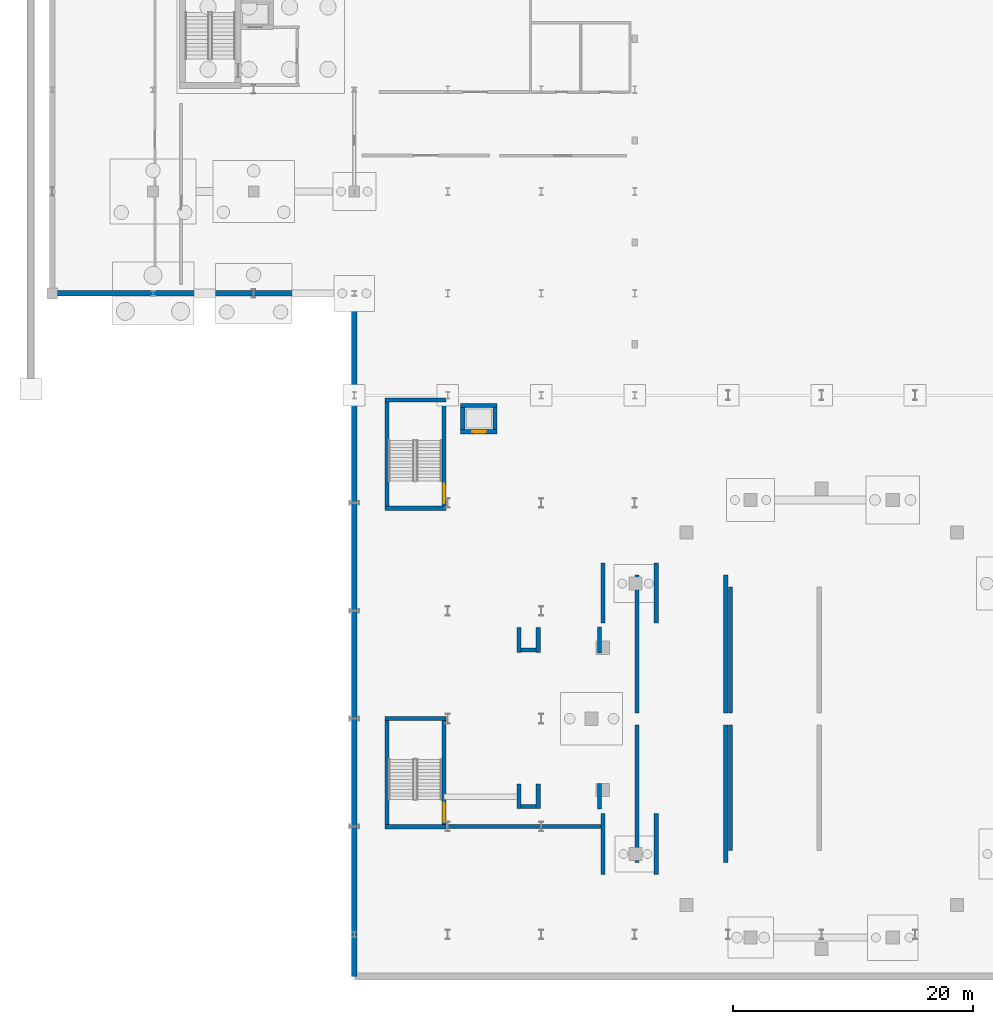
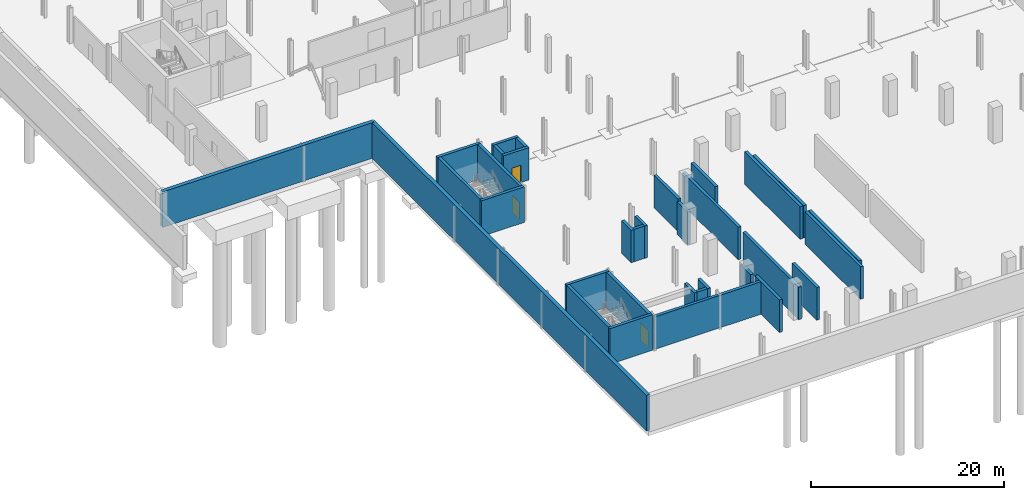
# One storey, part 23 of 45: 33 walls, 3 doors, 3 openings.
"""IFC4 building model written with IfcOpenShell, lengths in metres."""

from ifc_helpers import new_model, si_unit, direction, frame, frame_2d, origin, place, context, subcontext, project, spatial, rectangle, extrude, material, layer, layer_set, type_object, element, fill, save


model = new_model("IFC4")

# Units and contexts
model_context = context("Model", 3, precision=1e-05, world=origin(), true_north=direction((0.0, 1.0)))
body_context = subcontext(model_context, "Body", "Model", "MODEL_VIEW")
ifc_project = project(units=[si_unit("LENGTHUNIT", "METRE"), si_unit("AREAUNIT", "SQUARE_METRE"), si_unit("VOLUMEUNIT", "CUBIC_METRE"), si_unit("PLANEANGLEUNIT", "RADIAN"), si_unit("MASSUNIT", "GRAM", prefix="KILO")], contexts=[model_context])

# Site, building, storey
site_placement = place(None, origin())
site = spatial("IfcSite", under=ifc_project, at=site_placement, CompositionType="ELEMENT")
building_placement = place(site_placement, origin())
building = spatial("IfcBuilding", under=site, at=building_placement, Name="Sefraquen Railside Congress Hotel", CompositionType="ELEMENT")
storey_placement = place(building_placement, frame((0.0, 0.0, -4.5)))
storey = spatial("IfcBuildingStorey", under=building, at=storey_placement, Name="B01", CompositionType="ELEMENT", Elevation=-4.5)

# Walls
ifc_material_1 = material(Name="Concrete C50/60", Category="concrete")
ifc_layer_1 = layer(ifc_material_1, 0.35009765625)
ifc_layer_set_1 = layer_set([ifc_layer_1], Name="Concrete C50/60")
wall_type_1 = type_object("IfcWallType", Name="TW-CW-350", PredefinedType="SHEAR", material=ifc_layer_set_1)
for number, where, z_axis, x_axis, name in (
    (1, (27.75, 27.014892578125, 0.0), (0.0, 0.0, 1.0), (1.0, 0.0, 0.0), "Core shear wall ST-C01 N B01"),
    (2, (27.75, 17.985107421875, 0.0), (0.0, 0.0, 1.0), (1.0, 0.0, 0.0), "Core shear wall ST-C01 S B01"),
):
    element("IfcWall", number, at=place(storey_placement, frame(where, z_axis=z_axis, x_axis=x_axis)), inside=storey, type_object=wall_type_1, Name=name, PredefinedType="SHEAR", context=body_context, shape_type="SweptSolid", body=[
        extrude(rectangle(XDim=5.10009765625, YDim=0.35009765625, at=frame_2d((2.550048828125, 0.0))), origin(), (0.0, 0.0, 1.0), 4.5),
    ])
wall_1_placement = place(storey_placement, frame((27.925048828125, 18.159912109375, 0.0), z_axis=(0.0, 0.0, 1.0), x_axis=(0.0, 1.0, 0.0)))
element("IfcWall", 3, at=wall_1_placement, inside=storey, type_object=wall_type_1, Name="Core shear wall ST-C01 W B01", PredefinedType="SHEAR", context=body_context, shape_type="SweptSolid", body=[
    extrude(rectangle(XDim=8.68017578125, YDim=0.35009765625, at=frame_2d((4.340087890625, 0.0))), origin(), (0.0, 0.0, 1.0), 4.5),
])

# Wall, opening, door
wall_2_placement = place(storey_placement, frame((32.675048828125, 18.159912109375, 0.0), z_axis=(0.0, 0.0, 1.0), x_axis=(0.0, 1.0, 0.0)))
wall_2 = element("IfcWall", 4, at=wall_2_placement, inside=storey, type_object=wall_type_1, Name="Core shear wall ST-C01 E B01", PredefinedType="SHEAR", context=body_context, shape_type="SweptSolid", body=[
    extrude(rectangle(XDim=8.68017578125, YDim=0.35009765625, at=frame_2d((4.340087890625, 0.0))), origin(), (0.0, 0.0, 1.0), 4.5),
])
opening_1_placement = place(wall_2_placement, frame((0.25, 0.0, 0.0)))
opening_1 = element("IfcOpeningElement", 5, at=opening_1_placement, cuts=wall_2, Name="Opening FD-02", PredefinedType="OPENING", context=body_context, shape_type="SweptSolid", body=[
    extrude(rectangle(XDim=1.60009765625, YDim=2.199951171875, at=frame_2d((0.800048828125, 1.10009765625))), frame((0.0, 0.18505859375, 0.0), z_axis=(0.0, -1.0, 0.0), x_axis=(1.0, 0.0, 0.0)), (0.0, 0.0, 1.0), 0.3701171875),
])
ifc_material_2 = material(Name="Fire-rated steel", Category="steel")
door_type_1 = type_object("IfcDoorType", Name="TD-FD-02", OperationType="NOTDEFINED", PredefinedType="DOOR", material=ifc_material_2)
door_1_placement = place(opening_1_placement, origin())
door_1 = element("IfcDoor", 6, at=door_1_placement, inside=storey, type_object=door_type_1, Name="Pressurized stair ST-C01 fire door B01", OperationType="SINGLE_SWING_LEFT", OverallHeight=2.199951171875, OverallWidth=1.60009765625, PredefinedType="DOOR", context=body_context, shape_type="SweptSolid", body=[
    extrude(rectangle(XDim=1.60009765625, YDim=2.199951171875, at=frame_2d((0.800048828125, 1.10009765625))), frame((0.0, 0.02490234375, 0.0), z_axis=(0.0, -1.0, 0.0), x_axis=(1.0, 0.0, 0.0)), (0.0, 0.0, 1.0), 0.050048828125),
])
fill(opening_1, door_1)

# Walls
for number, where, z_axis, x_axis, name in (
    (7, (27.75, 53.60498046875, 0.0), (0.0, 0.0, 1.0), (1.0, 0.0, 0.0), "Core shear wall ST-C02 N B01"),
    (8, (27.75, 44.574951171875, 0.0), (0.0, 0.0, 1.0), (1.0, 0.0, 0.0), "Core shear wall ST-C02 S B01"),
):
    element("IfcWall", number, at=place(storey_placement, frame(where, z_axis=z_axis, x_axis=x_axis)), inside=storey, type_object=wall_type_1, Name=name, PredefinedType="SHEAR", context=body_context, shape_type="SweptSolid", body=[
        extrude(rectangle(XDim=5.10009765625, YDim=0.35009765625, at=frame_2d((2.550048828125, 0.0))), origin(), (0.0, 0.0, 1.0), 4.5),
    ])
wall_3_placement = place(storey_placement, frame((27.925048828125, 44.75, 0.0), z_axis=(0.0, 0.0, 1.0), x_axis=(0.0, 1.0, 0.0)))
element("IfcWall", 9, at=wall_3_placement, inside=storey, type_object=wall_type_1, Name="Core shear wall ST-C02 W B01", PredefinedType="SHEAR", context=body_context, shape_type="SweptSolid", body=[
    extrude(rectangle(XDim=8.679931640625, YDim=0.35009765625, at=frame_2d((4.33984375, 0.0))), origin(), (0.0, 0.0, 1.0), 4.5),
])

# Wall, opening, door
wall_4_placement = place(storey_placement, frame((32.675048828125, 44.75, 0.0), z_axis=(0.0, 0.0, 1.0), x_axis=(0.0, 1.0, 0.0)))
wall_4 = element("IfcWall", 10, at=wall_4_placement, inside=storey, type_object=wall_type_1, Name="Core shear wall ST-C02 E B01", PredefinedType="SHEAR", context=body_context, shape_type="SweptSolid", body=[
    extrude(rectangle(XDim=8.679931640625, YDim=0.35009765625, at=frame_2d((4.33984375, 0.0))), origin(), (0.0, 0.0, 1.0), 4.5),
])
opening_2_placement = place(wall_4_placement, frame((0.25, 0.0, 0.0)))
opening_2 = element("IfcOpeningElement", 11, at=opening_2_placement, cuts=wall_4, Name="Opening FD-02", PredefinedType="OPENING", context=body_context, shape_type="SweptSolid", body=[
    extrude(rectangle(XDim=1.60009765625, YDim=2.199951171875, at=frame_2d((0.800048828125, 1.10009765625))), frame((0.0, 0.18505859375, 0.0), z_axis=(0.0, -1.0, 0.0), x_axis=(1.0, 0.0, 0.0)), (0.0, 0.0, 1.0), 0.3701171875),
])
door_2_placement = place(opening_2_placement, origin())
door_2 = element("IfcDoor", 12, at=door_2_placement, inside=storey, type_object=door_type_1, Name="Pressurized stair ST-C02 fire door B01", OperationType="SINGLE_SWING_LEFT", OverallHeight=2.199951171875, OverallWidth=1.60009765625, PredefinedType="DOOR", context=body_context, shape_type="SweptSolid", body=[
    extrude(rectangle(XDim=1.60009765625, YDim=2.199951171875, at=frame_2d((0.800048828125, 1.10009765625))), frame((0.0, 0.02490234375, 0.0), z_axis=(0.0, -1.0, 0.0), x_axis=(1.0, 0.0, 0.0)), (0.0, 0.0, 1.0), 0.050048828125),
])
fill(opening_2, door_2)

# Walls
for number, where, z_axis, x_axis, name in (
    (13, (56.60009765625, 16.0, 0.0), (0.0, 0.0, 1.0), (0.0, 1.0, 0.0), "Congress seating tier 1 B01 foundation bearing wall W"),
    (14, (56.60009765625, 27.5, 0.0), (0.0, 0.0, 1.0), (0.0, 1.0, 0.0), "Congress seating tier 2 B01 foundation bearing wall W"),
):
    element("IfcWall", number, at=place(storey_placement, frame(where, z_axis=z_axis, x_axis=x_axis)), inside=storey, type_object=wall_type_1, Name=name, PredefinedType="SHEAR", context=body_context, shape_type="SweptSolid", body=[
        extrude(rectangle(XDim=10.5, YDim=0.35009765625, at=frame_2d((5.25, 0.0))), origin(), (0.0, 0.0, 1.0), 4.10009765625),
    ])
for number, where, z_axis, x_axis, name in (
    (15, (48.800048828125, 15.0, 0.0), (0.0, 0.0, 1.0), (0.0, 1.0, 0.0), "Congress seating tier 3 B01 foundation bearing wall W"),
    (16, (56.199951171875, 15.0, 0.0), (0.0, 0.0, 1.0), (0.0, 1.0, 0.0), "Congress seating tier 3 B01 foundation bearing wall E"),
    (17, (48.800048828125, 27.5, 0.0), (0.0, 0.0, 1.0), (0.0, 1.0, 0.0), "Congress seating tier 4 B01 foundation bearing wall W"),
    (18, (56.199951171875, 27.5, 0.0), (0.0, 0.0, 1.0), (0.0, 1.0, 0.0), "Congress seating tier 4 B01 foundation bearing wall E"),
):
    element("IfcWall", number, at=place(storey_placement, frame(where, z_axis=z_axis, x_axis=x_axis)), inside=storey, type_object=wall_type_1, Name=name, PredefinedType="SHEAR", context=body_context, shape_type="SweptSolid", body=[
        extrude(rectangle(XDim=11.5, YDim=0.35009765625, at=frame_2d((5.75, 0.0))), origin(), (0.0, 0.0, 1.0), 4.10009765625),
    ])
for number, where, z_axis, x_axis, name in (
    (19, (45.949951171875, 14.0, 0.0), (0.0, 0.0, 1.0), (0.0, 1.0, 0.0), "Congress upper tier 1 B01 support wall W"),
    (20, (50.39990234375, 14.0, 0.0), (0.0, 0.0, 1.0), (0.0, 1.0, 0.0), "Congress upper tier 1 B01 support wall E"),
):
    element("IfcWall", number, at=place(storey_placement, frame(where, z_axis=z_axis, x_axis=x_axis)), inside=storey, type_object=wall_type_1, Name=name, PredefinedType="SHEAR", context=body_context, shape_type="SweptSolid", body=[
        extrude(rectangle(XDim=5.10009765625, YDim=0.35009765625, at=frame_2d((2.550048828125, 0.0))), origin(), (0.0, 0.0, 1.0), 4.10009765625),
    ])
for number, where, z_axis, x_axis, name in (
    (21, (45.949951171875, 35.0, 0.0), (0.0, 0.0, 1.0), (0.0, 1.0, 0.0), "Congress upper tier 2 B01 support wall W"),
    (22, (50.39990234375, 35.0, 0.0), (0.0, 0.0, 1.0), (0.0, 1.0, 0.0), "Congress upper tier 2 B01 support wall E"),
):
    element("IfcWall", number, at=place(storey_placement, frame(where, z_axis=z_axis, x_axis=x_axis)), inside=storey, type_object=wall_type_1, Name=name, PredefinedType="SHEAR", context=body_context, shape_type="SweptSolid", body=[
        extrude(rectangle(XDim=5.0, YDim=0.35009765625, at=frame_2d((2.5, 0.0))), origin(), (0.0, 0.0, 1.0), 4.10009765625),
    ])
wall_5_placement = place(storey_placement, frame((33.0, 18.0, 0.0), z_axis=(0.0, 0.0, 1.0), x_axis=(1.0, 0.0, 0.0)))
element("IfcWall", 23, at=wall_5_placement, inside=storey, type_object=wall_type_1, Name="Congress concourse B01 foundation shear wall", PredefinedType="SHEAR", context=body_context, shape_type="SweptSolid", body=[
    extrude(rectangle(XDim=12.77490234375, YDim=0.35009765625, at=frame_2d((6.387451171875, 0.0))), origin(), (0.0, 0.0, 1.0), 4.10009765625),
])
for number, where, z_axis, x_axis, name in (
    (24, (38.949951171875, 19.5, 0.0), (0.0, 0.0, 1.0), (0.0, 1.0, 0.0), "Congress Vomitory 1 B01 support wall W"),
    (25, (40.550048828125, 19.5, 0.0), (0.0, 0.0, 1.0), (0.0, 1.0, 0.0), "Congress Vomitory 1 B01 support wall E"),
):
    element("IfcWall", number, at=place(storey_placement, frame(where, z_axis=z_axis, x_axis=x_axis)), inside=storey, type_object=wall_type_1, Name=name, PredefinedType="SHEAR", context=body_context, shape_type="SweptSolid", body=[
        extrude(rectangle(XDim=2.050048828125, YDim=0.35009765625, at=frame_2d((1.02490234375, 0.0))), origin(), (0.0, 0.0, 1.0), 4.10009765625),
    ])
wall_6_placement = place(storey_placement, frame((39.1298828125, 19.679931640625, 0.0), z_axis=(0.0, 0.0, 1.0), x_axis=(1.0, 0.0, 0.0)))
element("IfcWall", 26, at=wall_6_placement, inside=storey, type_object=wall_type_1, Name="Congress Vomitory 1 B01 transverse wall", PredefinedType="SHEAR", context=body_context, shape_type="SweptSolid", body=[
    extrude(rectangle(XDim=1.240234375, YDim=0.35009765625, at=frame_2d((0.6201171875, 0.0))), origin(), (0.0, 0.0, 1.0), 4.10009765625),
])
wall_7_placement = place(storey_placement, frame((45.64990234375, 19.449951171875, 0.0), z_axis=(0.0, 0.0, 1.0), x_axis=(0.0, 1.0, 0.0)))
element("IfcWall", 27, at=wall_7_placement, inside=storey, type_object=wall_type_1, Name="Congress Vomitory 1 B01 top support wall", PredefinedType="SHEAR", context=body_context, shape_type="SweptSolid", body=[
    extrude(rectangle(XDim=2.150146484375, YDim=0.35009765625, at=frame_2d((1.0751953125, 0.0))), origin(), (0.0, 0.0, 1.0), 4.10009765625),
])
for number, where, z_axis, x_axis, name in (
    (28, (38.949951171875, 32.550048828125, 0.0), (0.0, 0.0, 1.0), (0.0, 1.0, 0.0), "Congress Vomitory 2 B01 support wall W"),
    (29, (40.550048828125, 32.550048828125, 0.0), (0.0, 0.0, 1.0), (0.0, 1.0, 0.0), "Congress Vomitory 2 B01 support wall E"),
):
    element("IfcWall", number, at=place(storey_placement, frame(where, z_axis=z_axis, x_axis=x_axis)), inside=storey, type_object=wall_type_1, Name=name, PredefinedType="SHEAR", context=body_context, shape_type="SweptSolid", body=[
        extrude(rectangle(XDim=2.050048828125, YDim=0.35009765625, at=frame_2d((1.02490234375, 0.0))), origin(), (0.0, 0.0, 1.0), 4.10009765625),
    ])
wall_8_placement = place(storey_placement, frame((39.1298828125, 32.72998046875, 0.0), z_axis=(0.0, 0.0, 1.0), x_axis=(1.0, 0.0, 0.0)))
element("IfcWall", 30, at=wall_8_placement, inside=storey, type_object=wall_type_1, Name="Congress Vomitory 2 B01 transverse wall", PredefinedType="SHEAR", context=body_context, shape_type="SweptSolid", body=[
    extrude(rectangle(XDim=1.240234375, YDim=0.35009765625, at=frame_2d((0.6201171875, 0.0))), origin(), (0.0, 0.0, 1.0), 4.10009765625),
])
wall_9_placement = place(storey_placement, frame((45.64990234375, 32.5, 0.0), z_axis=(0.0, 0.0, 1.0), x_axis=(0.0, 1.0, 0.0)))
element("IfcWall", 31, at=wall_9_placement, inside=storey, type_object=wall_type_1, Name="Congress Vomitory 2 B01 top support wall", PredefinedType="SHEAR", context=body_context, shape_type="SweptSolid", body=[
    extrude(rectangle(XDim=2.14990234375, YDim=0.35009765625, at=frame_2d((1.074951171875, 0.0))), origin(), (0.0, 0.0, 1.0), 4.10009765625),
])
wall_10_placement = place(storey_placement, frame((34.080078125, 53.14501953125, 0.0), z_axis=(0.0, 0.0, 1.0), x_axis=(1.0, 0.0, 0.0)))
element("IfcWall", 32, at=wall_10_placement, inside=storey, type_object=wall_type_1, Name="Lift PL-08 shaft wall N B01", PredefinedType="SHEAR", context=body_context, shape_type="SweptSolid", body=[
    extrude(rectangle(XDim=3.0400390625, YDim=0.35009765625, at=frame_2d((1.52001953125, 0.0))), origin(), (0.0, 0.0, 1.0), 4.10009765625),
])

# Wall, opening, door
wall_11_placement = place(storey_placement, frame((34.080078125, 50.955078125, 0.0), z_axis=(0.0, 0.0, 1.0), x_axis=(1.0, 0.0, 0.0)))
wall_11 = element("IfcWall", 33, at=wall_11_placement, inside=storey, type_object=wall_type_1, Name="Lift PL-08 shaft wall S B01", PredefinedType="SHEAR", context=body_context, shape_type="SweptSolid", body=[
    extrude(rectangle(XDim=3.0400390625, YDim=0.35009765625, at=frame_2d((1.52001953125, 0.0))), origin(), (0.0, 0.0, 1.0), 4.10009765625),
])
opening_3_placement = place(wall_11_placement, frame((0.969970703125, 0.0, 0.0)))
opening_3 = element("IfcOpeningElement", 34, at=opening_3_placement, cuts=wall_11, Name="Opening LD-01", PredefinedType="OPENING", context=body_context, shape_type="SweptSolid", body=[
    extrude(rectangle(XDim=1.10009765625, YDim=2.199951171875, at=frame_2d((0.550048828125, 1.10009765625))), frame((0.0, 0.18505859375, 0.0), z_axis=(0.0, -1.0, 0.0), x_axis=(1.0, 0.0, 0.0)), (0.0, 0.0, 1.0), 0.3701171875),
])
ifc_material_3 = material(Name="Brushed bronze stainless steel", Category="steel")
door_type_2 = type_object("IfcDoorType", Name="TD-LD-01", OperationType="NOTDEFINED", PredefinedType="DOOR", material=ifc_material_3)
door_3_placement = place(opening_3_placement, origin())
door_3 = element("IfcDoor", 35, at=door_3_placement, inside=storey, type_object=door_type_2, Name="Lift landing door PL-08 B01", OperationType="SLIDING_TO_LEFT", OverallHeight=2.199951171875, OverallWidth=1.10009765625, PredefinedType="DOOR", context=body_context, shape_type="SweptSolid", body=[
    extrude(rectangle(XDim=1.10009765625, YDim=2.199951171875, at=frame_2d((0.550048828125, 1.10009765625))), frame((0.0, 0.02490234375, 0.0), z_axis=(0.0, -1.0, 0.0), x_axis=(1.0, 0.0, 0.0)), (0.0, 0.0, 1.0), 0.050048828125),
])
fill(opening_3, door_3)

# Walls
for number, where, z_axis, x_axis, name in (
    (36, (34.2548828125, 51.1298828125, 0.0), (0.0, 0.0, 1.0), (0.0, 1.0, 0.0), "Lift PL-08 shaft wall W B01"),
    (37, (36.945068359375, 51.1298828125, 0.0), (0.0, 0.0, 1.0), (0.0, 1.0, 0.0), "Lift PL-08 shaft wall E B01"),
):
    element("IfcWall", number, at=place(storey_placement, frame(where, z_axis=z_axis, x_axis=x_axis)), inside=storey, type_object=wall_type_1, Name=name, PredefinedType="SHEAR", context=body_context, shape_type="SweptSolid", body=[
        extrude(rectangle(XDim=1.840087890625, YDim=0.35009765625, at=frame_2d((0.919921875, 0.0))), origin(), (0.0, 0.0, 1.0), 4.10009765625),
    ])
ifc_material_4 = material(Name="Concrete C40/50", Category="concrete")
ifc_layer_2 = layer(ifc_material_4, 0.449951171875)
ifc_layer_set_2 = layer_set([ifc_layer_2], Name="Concrete C40/50")
wall_type_2 = type_object("IfcWallType", Name="TW-RW-450", PredefinedType="SOLIDWALL", material=ifc_layer_set_2)
wall_12_placement = place(storey_placement, frame((0.0, 62.5, 0.0), z_axis=(0.0, 0.0, 1.0), x_axis=(1.0, 0.0, 0.0)))
element("IfcWall", 38, at=wall_12_placement, inside=storey, type_object=wall_type_2, Name="Basement retaining wall W-B01-RW-01", PredefinedType="SOLIDWALL", context=body_context, shape_type="SweptSolid", body=[
    extrude(rectangle(XDim=25.199951171875, YDim=0.449951171875, at=frame_2d((12.60009765625, 0.0))), origin(), (0.0, 0.0, 1.0), 4.5),
])
wall_13_placement = place(storey_placement, frame((25.199951171875, 62.5, 0.0), z_axis=(0.0, 0.0, 1.0), x_axis=(0.0, -1.0, 0.0)))
element("IfcWall", 39, at=wall_13_placement, inside=storey, type_object=wall_type_2, Name="Basement retaining wall W-B01-RW-02", PredefinedType="SOLIDWALL", context=body_context, shape_type="SweptSolid", body=[
    extrude(rectangle(XDim=57.0, YDim=0.449951171875, at=frame_2d((28.5, 0.0))), origin(), (0.0, 0.0, 1.0), 4.5),
])

save(model, "model.ifc")
